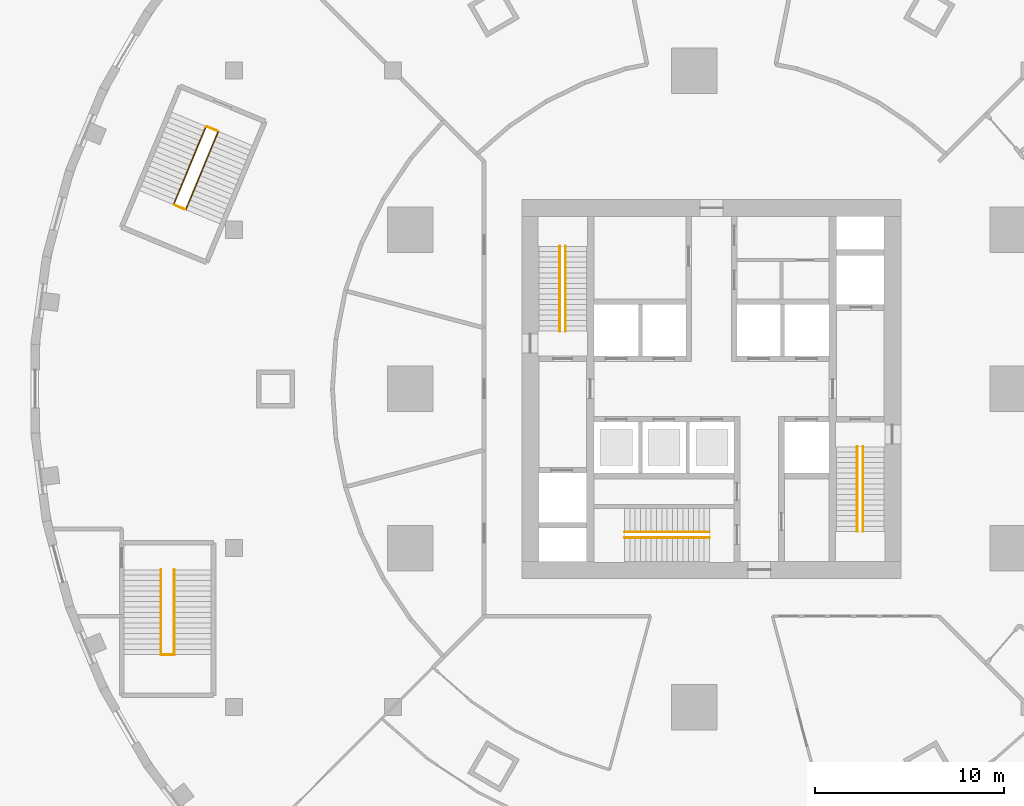
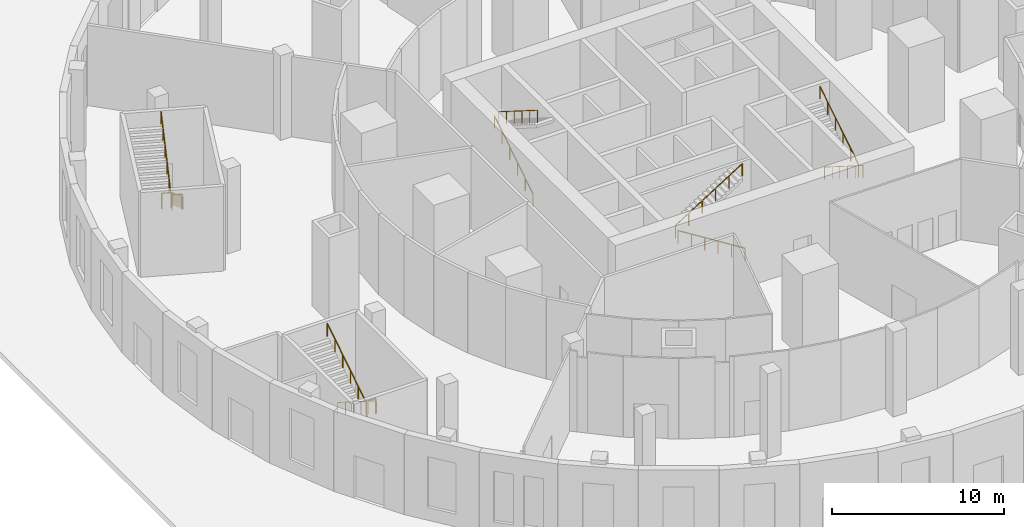
# One storey, part 16 of 19: 13 railings.
"""IFC4 building model written with IfcOpenShell, lengths in metres."""

from ifc_helpers import new_model, si_unit, direction, frame, origin, origin_2d, place, context, subcontext, project, spatial, circle, extrude, material, type_object, element, save


model = new_model("IFC4")

# Units and contexts
model_context = context("Model", 3, precision=1e-05, world=origin(), true_north=direction((0.0, 1.0)))
body_context = subcontext(model_context, "Body", "Model", "MODEL_VIEW")
ifc_project = project(units=[si_unit("LENGTHUNIT", "METRE"), si_unit("AREAUNIT", "SQUARE_METRE"), si_unit("VOLUMEUNIT", "CUBIC_METRE"), si_unit("PLANEANGLEUNIT", "RADIAN"), si_unit("MASSUNIT", "GRAM", prefix="KILO")], contexts=[model_context])

# Site, building, storey
site_placement = place(None, origin())
site = spatial("IfcSite", under=ifc_project, at=site_placement, CompositionType="ELEMENT")
building_placement = place(site_placement, origin())
building = spatial("IfcBuilding", under=site, at=building_placement, Name="Golbaran Civic Tower", CompositionType="ELEMENT")
storey_placement = place(building_placement, origin())
storey = spatial("IfcBuildingStorey", under=building, at=storey_placement, Name="L00", CompositionType="ELEMENT", Elevation=0.0)

# Railings
ifc_material_1 = material(Name="Steel balustrade", Category="steel")
railing_type_1 = type_object("IfcRailingType", Name="STAIR GUARD 1100", PredefinedType="GUARDRAIL", material=ifc_material_1)
railing_1_placement = place(storey_placement, frame((-26.07470703125, 13.61474609375, 0.0)))
element("IfcRailing", 1, at=railing_1_placement, inside=storey, type_object=railing_type_1, Name="Stair P2 well guard floor landing L00", PredefinedType="GUARDRAIL", context=body_context, shape_type="SweptSolid", body=[
    extrude(circle(Radius=0.02392578125, at=origin_2d()), frame((0.0, 0.0, 1.076171875), z_axis=(-0.923917630863, 0.382591441855, 0.0), x_axis=(-0.382591441855, -0.923917630863, 0.0)), (0.0, 0.0, 1.0), 0.599853515625),
    extrude(circle(Radius=0.02099609375, at=origin_2d()), origin(), (0.0, 0.0, 1.0), 1.052001953125),
    extrude(circle(Radius=0.02099609375, at=origin_2d()), frame((-0.55419921875, 0.2294921875, 0.0)), (0.0, 0.0, 1.0), 1.052001953125),
])
railing_2_placement = place(storey_placement, frame((-27.7890625, 9.475830078125, 3.0)))
element("IfcRailing", 2, at=railing_2_placement, inside=storey, type_object=railing_type_1, Name="Stair P2 well guard half landing L00", PredefinedType="GUARDRAIL", context=body_context, shape_type="SweptSolid", body=[
    extrude(circle(Radius=0.02392578125, at=origin_2d()), frame((0.0, 0.0, 1.076171875), z_axis=(-0.923977174173, 0.382447619429, 0.0), x_axis=(-0.382447619429, -0.923977174173, 0.0)), (0.0, 0.0, 1.0), 0.60009765625),
    extrude(circle(Radius=0.02099609375, at=origin_2d()), origin(), (0.0, 0.0, 1.0), 1.052001953125),
    extrude(circle(Radius=0.02099609375, at=origin_2d()), frame((-0.554443359375, 0.2294921875, 0.0)), (0.0, 0.0, 1.0), 1.052001953125),
])
railing_3_placement = place(storey_placement, frame((-28.39990234375, -14.030029296875, 3.0)))
element("IfcRailing", 3, at=railing_3_placement, inside=storey, type_object=railing_type_1, Name="Stair P3 well guard half landing L00", PredefinedType="GUARDRAIL", context=body_context, shape_type="SweptSolid", body=[
    extrude(circle(Radius=0.02392578125, at=origin_2d()), frame((0.0, 0.0, 1.076171875), z_axis=(-1.0, 0.0, 0.0), x_axis=(0.0, -1.0, 0.0)), (0.0, 0.0, 1.0), 0.60009765625),
    extrude(circle(Radius=0.02099609375, at=origin_2d()), origin(), (0.0, 0.0, 1.0), 1.052001953125),
    extrude(circle(Radius=0.02099609375, at=origin_2d()), frame((-0.60009765625, 0.0, 0.0)), (0.0, 0.0, 1.0), 1.052001953125),
])
ifc_material_2 = material(Name="Stainless steel", Category="steel")
railing_type_2 = type_object("IfcRailingType", Name="STAIR HANDRAIL 900", PredefinedType="HANDRAIL", material=ifc_material_2)
railing_4_placement = place(storey_placement, frame((-8.0, 3.050048828125, 0.176513671875)))
element("IfcRailing", 4, at=railing_4_placement, inside=storey, type_object=railing_type_2, Name="Stair S1 handrail flight 1 L00", PredefinedType="HANDRAIL", context=body_context, shape_type="SweptSolid", body=[
    extrude(circle(Radius=0.02392578125, at=origin_2d()), frame((0.0, 0.0, 0.8759765625), z_axis=(0.0, 0.845997938375, 0.533186166611), x_axis=(-1.0, 0.0, 0.0)), (0.0, 0.0, 1.0), 5.29541015625),
    extrude(circle(Radius=0.02099609375, at=origin_2d()), origin(), (0.0, 0.0, 1.0), 0.851806640625),
    extrude(circle(Radius=0.02099609375, at=origin_2d()), frame((0.0, 0.89599609375, 0.564697265625)), (0.0, 0.0, 1.0), 0.851806640625),
    extrude(circle(Radius=0.02099609375, at=origin_2d()), frame((0.0, 1.7919921875, 1.12939453125)), (0.0, 0.0, 1.0), 0.851806640625),
    extrude(circle(Radius=0.02099609375, at=origin_2d()), frame((0.0, 2.68798828125, 1.694091796875)), (0.0, 0.0, 1.0), 0.851806640625),
    extrude(circle(Radius=0.02099609375, at=origin_2d()), frame((0.0, 3.583984375, 2.2587890625)), (0.0, 0.0, 1.0), 0.851806640625),
    extrude(circle(Radius=0.02099609375, at=origin_2d()), frame((0.0, 4.47998046875, 2.823486328125)), (0.0, 0.0, 1.0), 0.851806640625),
])
for number, where, name in (
    (5, (-7.699951171875, 7.530029296875, 3.176513671875), "Stair S1 handrail flight 2 L00"),
    (6, (8.0, -3.050048828125, 0.176513671875), "Stair S2 handrail flight 1 L00"),
):
    element("IfcRailing", number, at=place(storey_placement, frame(where)), inside=storey, type_object=railing_type_2, Name=name, PredefinedType="HANDRAIL", context=body_context, shape_type="SweptSolid", body=[
        extrude(circle(Radius=0.02392578125, at=origin_2d()), frame((0.0, 0.0, 0.8759765625), z_axis=(0.0, -0.845997938375, 0.533186166611), x_axis=(1.0, 0.0, 0.0)), (0.0, 0.0, 1.0), 5.29541015625),
        extrude(circle(Radius=0.02099609375, at=origin_2d()), origin(), (0.0, 0.0, 1.0), 0.851806640625),
        extrude(circle(Radius=0.02099609375, at=origin_2d()), frame((0.0, -0.89599609375, 0.564697265625)), (0.0, 0.0, 1.0), 0.851806640625),
        extrude(circle(Radius=0.02099609375, at=origin_2d()), frame((0.0, -1.7919921875, 1.12939453125)), (0.0, 0.0, 1.0), 0.851806640625),
        extrude(circle(Radius=0.02099609375, at=origin_2d()), frame((0.0, -2.68798828125, 1.694091796875)), (0.0, 0.0, 1.0), 0.851806640625),
        extrude(circle(Radius=0.02099609375, at=origin_2d()), frame((0.0, -3.583984375, 2.2587890625)), (0.0, 0.0, 1.0), 0.851806640625),
        extrude(circle(Radius=0.02099609375, at=origin_2d()), frame((0.0, -4.47998046875, 2.823486328125)), (0.0, 0.0, 1.0), 0.851806640625),
    ])
railing_5_placement = place(storey_placement, frame((7.699951171875, -7.530029296875, 3.176513671875)))
element("IfcRailing", 7, at=railing_5_placement, inside=storey, type_object=railing_type_2, Name="Stair S2 handrail flight 2 L00", PredefinedType="HANDRAIL", context=body_context, shape_type="SweptSolid", body=[
    extrude(circle(Radius=0.02392578125, at=origin_2d()), frame((0.0, 0.0, 0.8759765625), z_axis=(0.0, 0.845997938375, 0.533186166611), x_axis=(-1.0, 0.0, 0.0)), (0.0, 0.0, 1.0), 5.29541015625),
    extrude(circle(Radius=0.02099609375, at=origin_2d()), origin(), (0.0, 0.0, 1.0), 0.851806640625),
    extrude(circle(Radius=0.02099609375, at=origin_2d()), frame((0.0, 0.89599609375, 0.564697265625)), (0.0, 0.0, 1.0), 0.851806640625),
    extrude(circle(Radius=0.02099609375, at=origin_2d()), frame((0.0, 1.7919921875, 1.12939453125)), (0.0, 0.0, 1.0), 0.851806640625),
    extrude(circle(Radius=0.02099609375, at=origin_2d()), frame((0.0, 2.68798828125, 1.694091796875)), (0.0, 0.0, 1.0), 0.851806640625),
    extrude(circle(Radius=0.02099609375, at=origin_2d()), frame((0.0, 3.583984375, 2.2587890625)), (0.0, 0.0, 1.0), 0.851806640625),
    extrude(circle(Radius=0.02099609375, at=origin_2d()), frame((0.0, 4.47998046875, 2.823486328125)), (0.0, 0.0, 1.0), 0.851806640625),
])
railing_6_placement = place(storey_placement, frame((-0.10009765625, -7.85009765625, 0.176513671875)))
element("IfcRailing", 8, at=railing_6_placement, inside=storey, type_object=railing_type_2, Name="Stair S3 handrail flight 1 L00", PredefinedType="HANDRAIL", context=body_context, shape_type="SweptSolid", body=[
    extrude(circle(Radius=0.02392578125, at=origin_2d()), frame((0.0, 0.0, 0.8759765625), z_axis=(-0.845997938375, 0.0, 0.533186166611), x_axis=(0.0, -1.0, 0.0)), (0.0, 0.0, 1.0), 5.29541015625),
    extrude(circle(Radius=0.02099609375, at=origin_2d()), origin(), (0.0, 0.0, 1.0), 0.851806640625),
    extrude(circle(Radius=0.02099609375, at=origin_2d()), frame((-0.89599609375, 0.0, 0.564697265625)), (0.0, 0.0, 1.0), 0.851806640625),
    extrude(circle(Radius=0.02099609375, at=origin_2d()), frame((-1.7919921875, 0.0, 1.12939453125)), (0.0, 0.0, 1.0), 0.851806640625),
    extrude(circle(Radius=0.02099609375, at=origin_2d()), frame((-2.68798828125, 0.0, 1.694091796875)), (0.0, 0.0, 1.0), 0.851806640625),
    extrude(circle(Radius=0.02099609375, at=origin_2d()), frame((-3.583984375, 0.0, 2.2587890625)), (0.0, 0.0, 1.0), 0.851806640625),
    extrude(circle(Radius=0.02099609375, at=origin_2d()), frame((-4.47998046875, 0.0, 2.823486328125)), (0.0, 0.0, 1.0), 0.851806640625),
])
railing_7_placement = place(storey_placement, frame((-4.580078125, -7.550048828125, 3.176513671875)))
element("IfcRailing", 9, at=railing_7_placement, inside=storey, type_object=railing_type_2, Name="Stair S3 handrail flight 2 L00", PredefinedType="HANDRAIL", context=body_context, shape_type="SweptSolid", body=[
    extrude(circle(Radius=0.02392578125, at=origin_2d()), frame((0.0, 0.0, 0.8759765625), z_axis=(0.845997938375, 0.0, 0.533186166611), x_axis=(0.0, 1.0, 0.0)), (0.0, 0.0, 1.0), 5.29541015625),
    extrude(circle(Radius=0.02099609375, at=origin_2d()), origin(), (0.0, 0.0, 1.0), 0.851806640625),
    extrude(circle(Radius=0.02099609375, at=origin_2d()), frame((0.89599609375, 0.0, 0.564697265625)), (0.0, 0.0, 1.0), 0.851806640625),
    extrude(circle(Radius=0.02099609375, at=origin_2d()), frame((1.7919921875, 0.0, 1.12939453125)), (0.0, 0.0, 1.0), 0.851806640625),
    extrude(circle(Radius=0.02099609375, at=origin_2d()), frame((2.68798828125, 0.0, 1.694091796875)), (0.0, 0.0, 1.0), 0.851806640625),
    extrude(circle(Radius=0.02099609375, at=origin_2d()), frame((3.583984375, 0.0, 2.2587890625)), (0.0, 0.0, 1.0), 0.851806640625),
    extrude(circle(Radius=0.02099609375, at=origin_2d()), frame((4.47998046875, 0.0, 2.823486328125)), (0.0, 0.0, 1.0), 0.851806640625),
])
railing_8_placement = place(storey_placement, frame((-26.028564453125, 13.595458984375, 0.176513671875)))
element("IfcRailing", 10, at=railing_8_placement, inside=storey, type_object=railing_type_2, Name="Stair P2 handrail flight 1 L00", PredefinedType="HANDRAIL", context=body_context, shape_type="SweptSolid", body=[
    extrude(circle(Radius=0.02392578125, at=origin_2d()), frame((0.0, 0.0, 0.8759765625), z_axis=(-0.323741658868, -0.781599593105, 0.53319172384), x_axis=(0.92388266389, -0.382675872461, 0.0)), (0.0, 0.0, 1.0), 5.29541015625),
    extrude(circle(Radius=0.02099609375, at=origin_2d()), origin(), (0.0, 0.0, 1.0), 0.851806640625),
    extrude(circle(Radius=0.02099609375, at=origin_2d()), frame((-0.3427734375, -0.827880859375, 0.564697265625)), (0.0, 0.0, 1.0), 0.851806640625),
    extrude(circle(Radius=0.02099609375, at=origin_2d()), frame((-0.685791015625, -1.655517578125, 1.12939453125)), (0.0, 0.0, 1.0), 0.851806640625),
    extrude(circle(Radius=0.02099609375, at=origin_2d()), frame((-1.028564453125, -2.4833984375, 1.694091796875)), (0.0, 0.0, 1.0), 0.851806640625),
    extrude(circle(Radius=0.02099609375, at=origin_2d()), frame((-1.37158203125, -3.31103515625, 2.2587890625)), (0.0, 0.0, 1.0), 0.851806640625),
    extrude(circle(Radius=0.02099609375, at=origin_2d()), frame((-1.71435546875, -4.138916015625, 2.823486328125)), (0.0, 0.0, 1.0), 0.851806640625),
])
railing_9_placement = place(storey_placement, frame((-28.3896484375, 9.724365234375, 3.176513671875)))
element("IfcRailing", 11, at=railing_9_placement, inside=storey, type_object=railing_type_2, Name="Stair P2 handrail flight 2 L00", PredefinedType="HANDRAIL", context=body_context, shape_type="SweptSolid", body=[
    extrude(circle(Radius=0.02392578125, at=origin_2d()), frame((0.0, 0.0, 0.8759765625), z_axis=(0.323729993189, 0.781617531263, 0.533172510856), x_axis=(-0.92389064383, 0.382656606168, 0.0)), (0.0, 0.0, 1.0), 5.295654296875),
    extrude(circle(Radius=0.02099609375, at=origin_2d()), origin(), (0.0, 0.0, 1.0), 0.851806640625),
    extrude(circle(Radius=0.02099609375, at=origin_2d()), frame((0.3427734375, 0.827880859375, 0.564697265625)), (0.0, 0.0, 1.0), 0.851806640625),
    extrude(circle(Radius=0.02099609375, at=origin_2d()), frame((0.685791015625, 1.65576171875, 1.12939453125)), (0.0, 0.0, 1.0), 0.851806640625),
    extrude(circle(Radius=0.02099609375, at=origin_2d()), frame((1.028564453125, 2.4833984375, 1.694091796875)), (0.0, 0.0, 1.0), 0.851806640625),
    extrude(circle(Radius=0.02099609375, at=origin_2d()), frame((1.37158203125, 3.311279296875, 2.2587890625)), (0.0, 0.0, 1.0), 0.851806640625),
    extrude(circle(Radius=0.02099609375, at=origin_2d()), frame((1.71435546875, 4.13916015625, 2.823486328125)), (0.0, 0.0, 1.0), 0.851806640625),
])
railing_10_placement = place(storey_placement, frame((-28.35009765625, -9.550048828125, 0.176513671875)))
element("IfcRailing", 12, at=railing_10_placement, inside=storey, type_object=railing_type_2, Name="Stair P3 handrail flight 1 L00", PredefinedType="HANDRAIL", context=body_context, shape_type="SweptSolid", body=[
    extrude(circle(Radius=0.02392578125, at=origin_2d()), frame((0.0, 0.0, 0.8759765625), z_axis=(0.0, -0.845997938375, 0.533186166611), x_axis=(1.0, 0.0, 0.0)), (0.0, 0.0, 1.0), 5.29541015625),
    extrude(circle(Radius=0.02099609375, at=origin_2d()), origin(), (0.0, 0.0, 1.0), 0.851806640625),
    extrude(circle(Radius=0.02099609375, at=origin_2d()), frame((0.0, -0.89599609375, 0.564697265625)), (0.0, 0.0, 1.0), 0.851806640625),
    extrude(circle(Radius=0.02099609375, at=origin_2d()), frame((0.0, -1.7919921875, 1.12939453125)), (0.0, 0.0, 1.0), 0.851806640625),
    extrude(circle(Radius=0.02099609375, at=origin_2d()), frame((0.0, -2.68798828125, 1.694091796875)), (0.0, 0.0, 1.0), 0.851806640625),
    extrude(circle(Radius=0.02099609375, at=origin_2d()), frame((0.0, -3.583984375, 2.2587890625)), (0.0, 0.0, 1.0), 0.851806640625),
    extrude(circle(Radius=0.02099609375, at=origin_2d()), frame((0.0, -4.47998046875, 2.823486328125)), (0.0, 0.0, 1.0), 0.851806640625),
])
railing_11_placement = place(storey_placement, frame((-29.050048828125, -14.030029296875, 3.176513671875)))
element("IfcRailing", 13, at=railing_11_placement, inside=storey, type_object=railing_type_2, Name="Stair P3 handrail flight 2 L00", PredefinedType="HANDRAIL", context=body_context, shape_type="SweptSolid", body=[
    extrude(circle(Radius=0.02392578125, at=origin_2d()), frame((0.0, 0.0, 0.8759765625), z_axis=(0.0, 0.845997938375, 0.533186166611), x_axis=(-1.0, 0.0, 0.0)), (0.0, 0.0, 1.0), 5.29541015625),
    extrude(circle(Radius=0.02099609375, at=origin_2d()), origin(), (0.0, 0.0, 1.0), 0.851806640625),
    extrude(circle(Radius=0.02099609375, at=origin_2d()), frame((0.0, 0.89599609375, 0.564697265625)), (0.0, 0.0, 1.0), 0.851806640625),
    extrude(circle(Radius=0.02099609375, at=origin_2d()), frame((0.0, 1.7919921875, 1.12939453125)), (0.0, 0.0, 1.0), 0.851806640625),
    extrude(circle(Radius=0.02099609375, at=origin_2d()), frame((0.0, 2.68798828125, 1.694091796875)), (0.0, 0.0, 1.0), 0.851806640625),
    extrude(circle(Radius=0.02099609375, at=origin_2d()), frame((0.0, 3.583984375, 2.2587890625)), (0.0, 0.0, 1.0), 0.851806640625),
    extrude(circle(Radius=0.02099609375, at=origin_2d()), frame((0.0, 4.47998046875, 2.823486328125)), (0.0, 0.0, 1.0), 0.851806640625),
])

save(model, "model.ifc")
